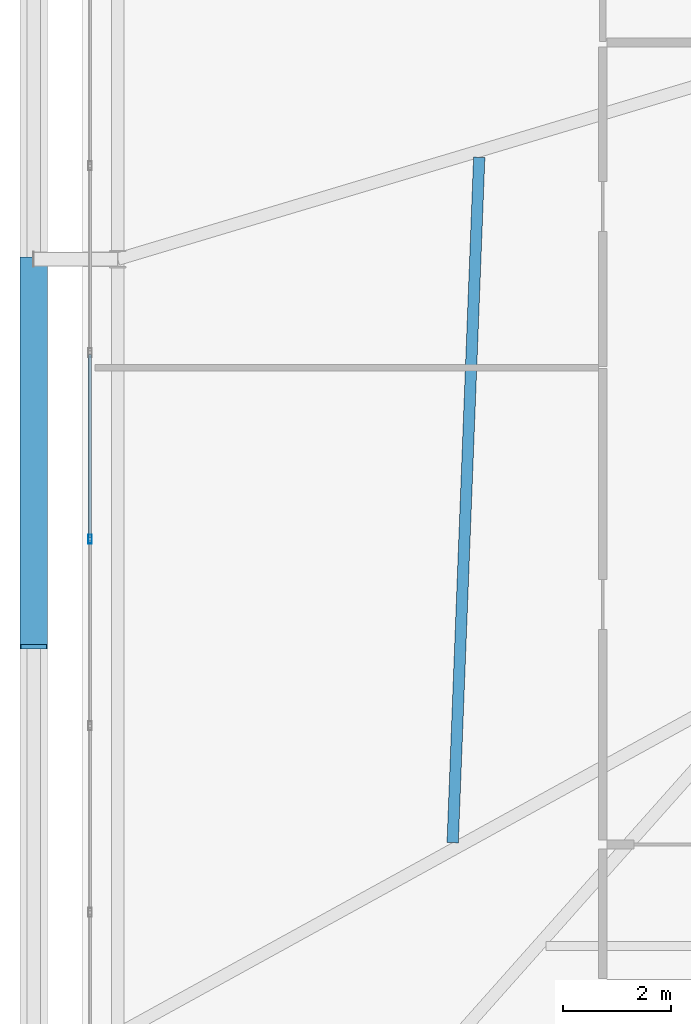
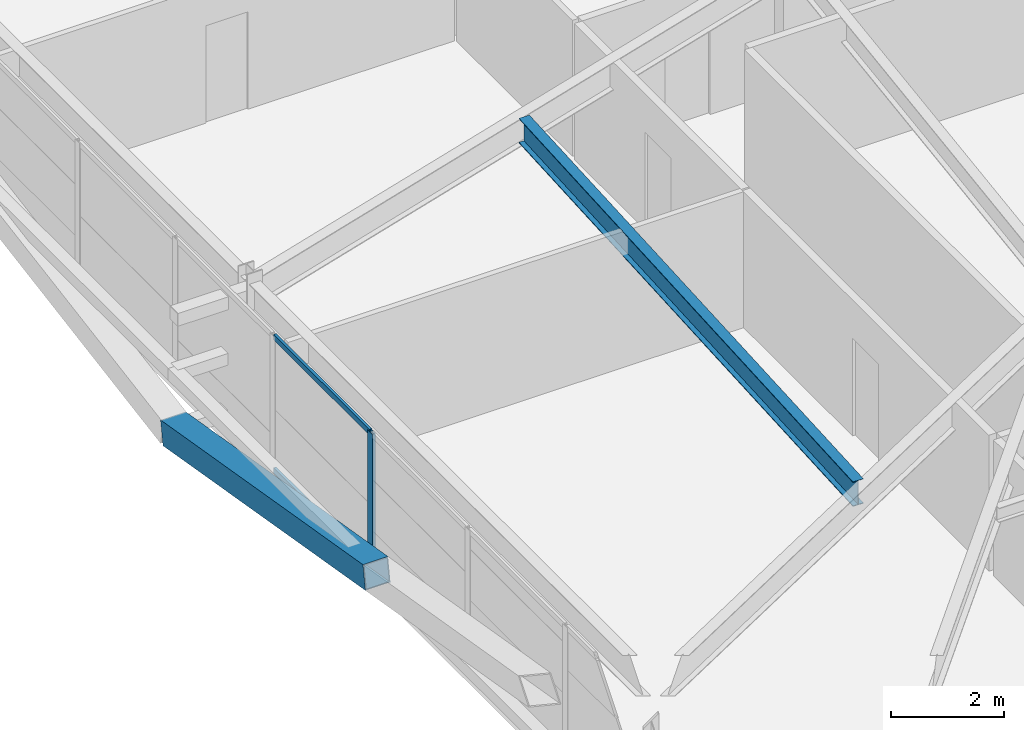
# One storey, part 10 of 58: 4 members, 1 beam, 1 element without a shape of its own.
"""IFC4 building model written with IfcOpenShell, lengths in metres."""

from ifc_helpers import new_model, si_unit, direction, frame, origin, origin_2d, place, context, subcontext, project, spatial, hollow_rectangle, i_section, extrude, source, transform, mapped, material, layer, layer_set, material_profile, profile_set, type_object, element, aggregate, save


model = new_model("IFC4")

# Units and contexts
model_context = context("Model", 3, precision=1e-05, world=origin(), true_north=direction((0.0, 1.0)))
body_context = subcontext(model_context, "Body", "Model", "MODEL_VIEW")
ifc_project = project(units=[si_unit("LENGTHUNIT", "METRE"), si_unit("AREAUNIT", "SQUARE_METRE"), si_unit("VOLUMEUNIT", "CUBIC_METRE"), si_unit("PLANEANGLEUNIT", "RADIAN"), si_unit("MASSUNIT", "GRAM", prefix="KILO")], contexts=[model_context])

# Site, building, storey
site_placement = place(None, origin())
site = spatial("IfcSite", under=ifc_project, at=site_placement, CompositionType="ELEMENT")
building_placement = place(site_placement, origin())
building = spatial("IfcBuilding", under=site, at=building_placement, Name="Taldren Reach Tower", CompositionType="ELEMENT")
storey_placement = place(building_placement, frame((0.0, 0.0, 51.449951171875)))
storey = spatial("IfcBuildingStorey", under=building, at=storey_placement, Name="L15", CompositionType="ELEMENT", Elevation=51.449951171875)

# Beam
ifc_material_1 = material(Name="Steel Gr 350 (350PLUS)", Category="steel")
ifc_material_profile_1 = material_profile(ifc_material_1, i_section(OverallWidth=0.208984375, OverallDepth=0.532958984375, WebThickness=0.01025390625, FlangeThickness=0.015625, at=origin_2d()), Name="530UB92.4")
ifc_profile_set_1 = profile_set([ifc_material_profile_1], Name="Steel Gr 350 (350PLUS)")
beam_type = type_object("IfcBeamType", Name="BM-UB530A", PredefinedType="BEAM", material=ifc_profile_set_1)
shared_shape_1 = source(origin(), body_context, "Body", "SweptSolid", [
    extrude(i_section(OverallWidth=0.208984375, OverallDepth=0.532958984375, WebThickness=0.01025390625, FlangeThickness=0.015625, at=origin_2d()), origin(), (0.0, 0.0, 1.0), 12.65625),
])
beam_placement = place(storey_placement, frame((11.830078125, 9.23291015625, 2.66357421875), z_axis=(0.0387346395, 0.99924953225, 0.0), x_axis=(-0.99924953225, 0.0387346395, 0.0)))
element("IfcBeam", 1, at=beam_placement, inside=storey, type_object=beam_type, Name="Secondary floor beam B1 J6 L15", PredefinedType="BEAM", context=body_context, shape_type="MappedRepresentation", body=[
    mapped(shared_shape_1, transform((0.0, 0.0, 0.0), scale=1.0)),
])

# Member
ifc_material_2 = material(Name="Steel Gr 450 (C450L0)", Category="steel")
ifc_material_profile_2 = material_profile(ifc_material_2, hollow_rectangle(XDim=0.510009765625, YDim=0.510009765625, WallThickness=0.02001953125, at=origin_2d()), Name="510x510x20.0SHS")
ifc_profile_set_2 = profile_set([ifc_material_profile_2], Name="Steel Gr 450 (C450L0)")
member_type_1 = type_object("IfcMemberType", Name="MB-EXO508", PredefinedType="BRACE", material=ifc_profile_set_2)
shared_shape_2 = source(origin(), body_context, "Body", "SweptSolid", [
    extrude(hollow_rectangle(XDim=0.510009765625, YDim=0.510009765625, WallThickness=0.02001953125, at=origin_2d()), origin(), (0.0, 0.0, 1.0), 7.25244140625),
])
member_1_placement = place(storey_placement, frame((4.10009765625, 20.0, 0.219970703125), z_axis=(0.0, -0.985864855729, 0.167542490848), x_axis=(1.0, 0.0, 0.0)))
element("IfcMember", 2, at=member_1_placement, inside=storey, type_object=member_type_1, Name="Exoskeleton Diagrid Brace B1-W1 L15", PredefinedType="BRACE", context=body_context, shape_type="MappedRepresentation", body=[
    mapped(shared_shape_2, transform((0.0, 0.0, 0.0), scale=1.0)),
])

# Curtain wall, members
ifc_material_3 = material(Name="Aluminium and Low-E Glass Unitised System", Category="aluminium")
ifc_layer = layer(ifc_material_3, 0.159912109375)
ifc_layer_set = layer_set([ifc_layer], Name="Aluminium and Low-E Glass Unitised System")
curtain_wall_type = type_object("IfcCurtainWallType", Name="CW-SYS-2", PredefinedType="NOTDEFINED", material=ifc_layer_set)
curtain_wall_placement = place(storey_placement, origin())
curtain_wall = element("IfcCurtainWall", 3, at=curtain_wall_placement, inside=storey, type_object=curtain_wall_type, Name="Unitised curtain wall CW-L15-W", PredefinedType="NOTDEFINED")
ifc_material_4 = material(Name="Anodised Aluminium 6063-T6", Category="aluminium")
ifc_material_profile_3 = material_profile(ifc_material_4, hollow_rectangle(XDim=0.06494140625, YDim=0.1650390625, WallThickness=0.00390625, at=origin_2d()), Name="ALU-165x65x4RHS")
ifc_profile_set_3 = profile_set([ifc_material_profile_3], Name="Anodised Aluminium 6063-T6")
member_type_2 = type_object("IfcMemberType", Name="CW-MUL-165", PredefinedType="MULLION", material=ifc_profile_set_3)
shared_shape_3 = source(origin(), body_context, "Body", "SweptSolid", [
    extrude(hollow_rectangle(XDim=0.06494140625, YDim=0.1650390625, WallThickness=0.00390625, at=origin_2d()), origin(), (0.0, 0.0, 1.0), 2.929931640625),
])
member_2_placement = place(storey_placement, frame((5.139892578125, 14.833251953125, 0.0), z_axis=(0.0, 0.0, 1.0), x_axis=(1.0, 0.0, 0.0)))
member_2 = element("IfcMember", 4, at=member_2_placement, type_object=member_type_2, Name="CW-2 mullion 7", PredefinedType="MULLION", context=body_context, shape_type="MappedRepresentation", body=[
    mapped(shared_shape_3, transform((0.0, 0.0, 0.0), scale=1.0)),
])
ifc_material_profile_4 = material_profile(ifc_material_4, hollow_rectangle(XDim=0.054931640625, YDim=0.1201171875, WallThickness=0.0029296875, at=origin_2d()), Name="ALU-120x55x3RHS")
ifc_profile_set_4 = profile_set([ifc_material_profile_4], Name="Anodised Aluminium 6063-T6")
member_type_3 = type_object("IfcMemberType", Name="CW-TRN-135", PredefinedType="USERDEFINED", material=ifc_profile_set_4)
shared_shape_4 = source(origin(), body_context, "Body", "SweptSolid", [
    extrude(hollow_rectangle(XDim=0.054931640625, YDim=0.1201171875, WallThickness=0.0029296875, at=origin_2d()), origin(), (0.0, 0.0, 1.0), 3.379638671875),
])
member_3_placement = place(storey_placement, frame((5.139892578125, 18.245361328125, 0.027587890625), z_axis=(0.0, -1.0, 0.0), x_axis=(1.0, 0.0, 0.0)))
member_3 = element("IfcMember", 5, at=member_3_placement, type_object=member_type_3, Name="CW-2 transom 6.1", ObjectType="TRANSOM", PredefinedType="USERDEFINED", context=body_context, shape_type="MappedRepresentation", body=[
    mapped(shared_shape_4, transform((0.0, 0.0, 0.0), scale=1.0)),
])
member_4_placement = place(storey_placement, frame((5.139892578125, 18.245361328125, 2.902587890625), z_axis=(0.0, -1.0, 0.0), x_axis=(1.0, 0.0, 0.0)))
member_4 = element("IfcMember", 6, at=member_4_placement, type_object=member_type_3, Name="CW-2 transom 6.2", ObjectType="TRANSOM", PredefinedType="USERDEFINED", context=body_context, shape_type="MappedRepresentation", body=[
    mapped(shared_shape_4, transform((0.0, 0.0, 0.0), scale=1.0)),
])
aggregate(curtain_wall, [member_2, member_3, member_4])

save(model, "model.ifc")
